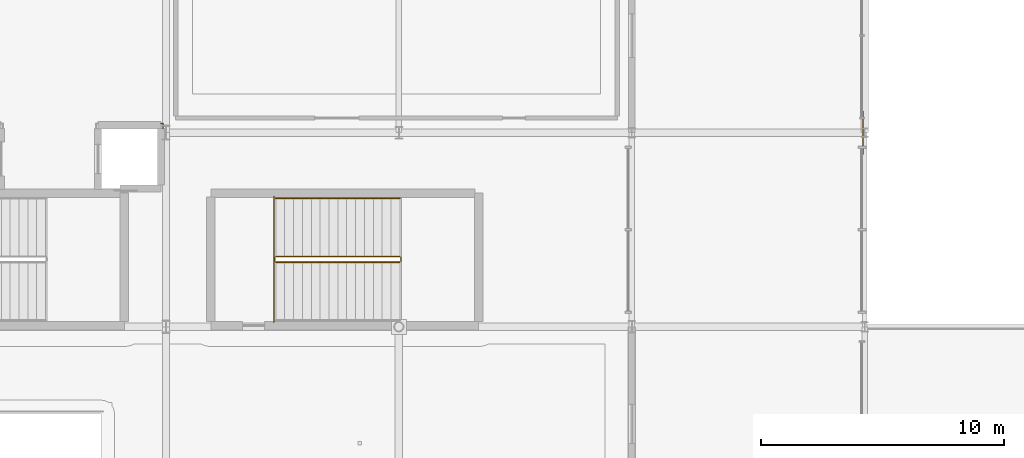
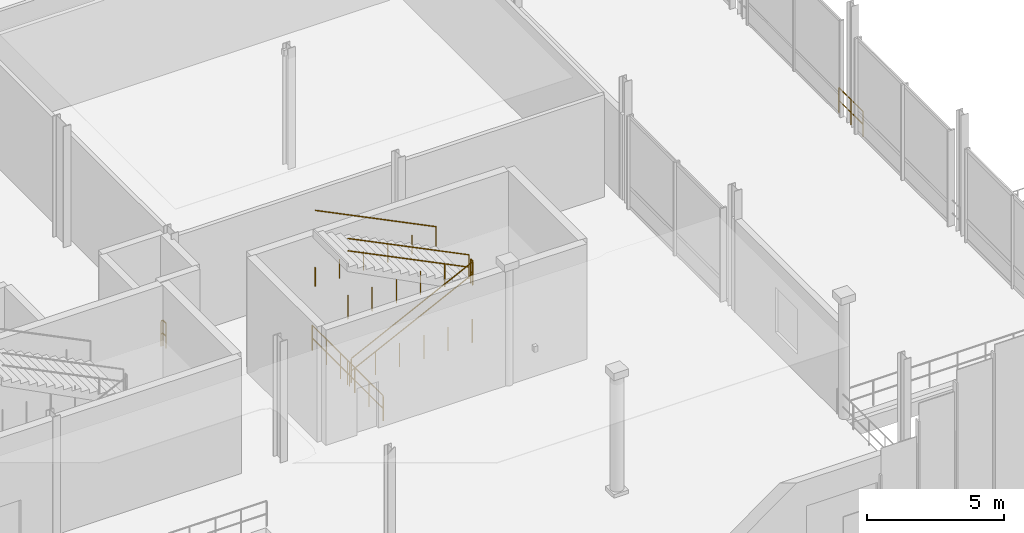
# One storey, part 112 of 129: 8 railings.
"""IFC4 building model written with IfcOpenShell, lengths in metres."""

from ifc_helpers import new_model, si_unit, direction, frame, origin, origin_2d, place, context, subcontext, project, spatial, circle, extrude, material, type_object, element, save


model = new_model("IFC4")

# Units and contexts
model_context = context("Model", 3, precision=1e-05, world=origin(), true_north=direction((0.0, 1.0)))
body_context = subcontext(model_context, "Body", "Model", "MODEL_VIEW")
ifc_project = project(units=[si_unit("LENGTHUNIT", "METRE"), si_unit("AREAUNIT", "SQUARE_METRE"), si_unit("VOLUMEUNIT", "CUBIC_METRE"), si_unit("PLANEANGLEUNIT", "RADIAN"), si_unit("MASSUNIT", "GRAM", prefix="KILO")], contexts=[model_context])

# Site, building, storey
site_placement = place(None, origin())
site = spatial("IfcSite", under=ifc_project, at=site_placement, CompositionType="ELEMENT")
building_placement = place(site_placement, origin())
building = spatial("IfcBuilding", under=site, at=building_placement, Name="Danafjord Basin Convention Centre", CompositionType="ELEMENT")
storey_placement = place(building_placement, frame((0.0, 0.0, 6.0)))
storey = spatial("IfcBuildingStorey", under=building, at=storey_placement, Name="L01", CompositionType="ELEMENT", Elevation=6.0)

# Railings
ifc_material_1 = material(Name="Laminated structural glass and stainless steel", Category="steel")
railing_type_1 = type_object("IfcRailingType", Name="RL-BAL-GLS", PredefinedType="BALUSTRADE", material=ifc_material_1)
railing_1_placement = place(storey_placement, frame((124.719970703125, 24.8798828125, 0.0)))
element("IfcRailing", 1, at=railing_1_placement, inside=storey, type_object=railing_type_1, Name="L01 safety guard balustrade 41", PredefinedType="BALUSTRADE", context=body_context, shape_type="SweptSolid", body=[
    extrude(circle(Radius=0.02392578125, at=origin_2d()), frame((0.0, 0.0, 1.1259765625), z_axis=(0.0, -1.0, 0.0), x_axis=(1.0, 0.0, 0.0)), (0.0, 0.0, 1.0), 1.759765625),
    extrude(circle(Radius=0.02392578125, at=origin_2d()), frame((0.0, 0.0, 0.55078125), z_axis=(0.0, -1.0, 0.0), x_axis=(1.0, 0.0, 0.0)), (0.0, 0.0, 1.0), 1.759765625),
    extrude(circle(Radius=0.02099609375, at=origin_2d()), origin(), (0.0, 0.0, 1.0), 1.099853515625),
    extrude(circle(Radius=0.02099609375, at=origin_2d()), frame((0.0, -0.8798828125, 0.0)), (0.0, 0.0, 1.0), 1.099853515625),
    extrude(circle(Radius=0.02099609375, at=origin_2d()), frame((0.0, -1.759765625, 0.0)), (0.0, 0.0, 1.0), 1.099853515625),
])
ifc_material_2 = material(Name="Galvanised and powder-coated steel S355", Category="steel")
railing_type_2 = type_object("IfcRailingType", Name="RL-BAL-STL", PredefinedType="BALUSTRADE", material=ifc_material_2)
railing_2_placement = place(storey_placement, frame((100.449951171875, 21.375, 0.0)))
element("IfcRailing", 2, at=railing_2_placement, inside=storey, type_object=railing_type_2, Name="L01 safety guard balustrade 83", PredefinedType="BALUSTRADE", context=body_context, shape_type="SweptSolid", body=[
    extrude(circle(Radius=0.02392578125, at=origin_2d()), frame((0.0, 0.0, 1.1259765625), z_axis=(0.0, -1.0, 0.0), x_axis=(1.0, 0.0, 0.0)), (0.0, 0.0, 1.0), 5.18994140625),
    extrude(circle(Radius=0.02392578125, at=origin_2d()), frame((0.0, 0.0, 0.55078125), z_axis=(0.0, -1.0, 0.0), x_axis=(1.0, 0.0, 0.0)), (0.0, 0.0, 1.0), 5.18994140625),
    extrude(circle(Radius=0.02099609375, at=origin_2d()), origin(), (0.0, 0.0, 1.0), 1.099853515625),
    extrude(circle(Radius=0.02099609375, at=origin_2d()), frame((0.0, -1.0380859375, 0.0)), (0.0, 0.0, 1.0), 1.099853515625),
    extrude(circle(Radius=0.02099609375, at=origin_2d()), frame((0.0, -2.075927734375, 0.0)), (0.0, 0.0, 1.0), 1.099853515625),
    extrude(circle(Radius=0.02099609375, at=origin_2d()), frame((0.0, -3.114013671875, 0.0)), (0.0, 0.0, 1.0), 1.099853515625),
    extrude(circle(Radius=0.02099609375, at=origin_2d()), frame((0.0, -4.15185546875, 0.0)), (0.0, 0.0, 1.0), 1.099853515625),
    extrude(circle(Radius=0.02099609375, at=origin_2d()), frame((0.0, -5.18994140625, 0.0)), (0.0, 0.0, 1.0), 1.099853515625),
])
railing_3_placement = place(storey_placement, frame((95.8798828125, 24.1650390625, 0.0)))
element("IfcRailing", 3, at=railing_3_placement, inside=storey, type_object=railing_type_2, Name="L01 safety guard balustrade 105", PredefinedType="BALUSTRADE", context=body_context, shape_type="SweptSolid", body=[
    extrude(circle(Radius=0.02392578125, at=origin_2d()), frame((0.0, 0.0, 1.1259765625), z_axis=(0.0, 1.0, 0.0), x_axis=(-1.0, 0.0, 0.0)), (0.0, 0.0, 1.0), 0.21484375),
    extrude(circle(Radius=0.02392578125, at=origin_2d()), frame((0.0, 0.0, 0.55078125), z_axis=(0.0, 1.0, 0.0), x_axis=(-1.0, 0.0, 0.0)), (0.0, 0.0, 1.0), 0.21484375),
    extrude(circle(Radius=0.02392578125, at=origin_2d()), frame((0.0, 0.21484375, 1.1259765625), z_axis=(-1.0, 0.0, 0.0), x_axis=(0.0, -1.0, 0.0)), (0.0, 0.0, 1.0), 0.079833984375),
    extrude(circle(Radius=0.02392578125, at=origin_2d()), frame((0.0, 0.21484375, 0.55078125), z_axis=(-1.0, 0.0, 0.0), x_axis=(0.0, -1.0, 0.0)), (0.0, 0.0, 1.0), 0.079833984375),
    extrude(circle(Radius=0.02099609375, at=origin_2d()), origin(), (0.0, 0.0, 1.0), 1.099853515625),
    extrude(circle(Radius=0.02099609375, at=origin_2d()), frame((0.0, 0.21484375, 0.0)), (0.0, 0.0, 1.0), 1.099853515625),
    extrude(circle(Radius=0.02099609375, at=origin_2d()), frame((-0.079833984375, 0.21484375, 0.0)), (0.0, 0.0, 1.0), 1.099853515625),
])
ifc_material_3 = material(Name="Galvanised steel S355", Category="steel")
railing_type_3 = type_object("IfcRailingType", Name="RL-GD-WELL", PredefinedType="BALUSTRADE", material=ifc_material_3)
railing_4_placement = place(storey_placement, frame((100.530029296875, 18.659912109375, 0.179931640625)))
element("IfcRailing", 4, at=railing_4_placement, inside=storey, type_object=railing_type_3, Name="L01 ST-04 stair guard 1", PredefinedType="BALUSTRADE", context=body_context, shape_type="SweptSolid", body=[
    extrude(circle(Radius=0.02392578125, at=origin_2d()), frame((0.0, 0.0, 1.076171875), z_axis=(0.89686481642, 0.0, 0.442304760396), x_axis=(0.0, 1.0, 0.0)), (0.0, 0.0, 1.0), 5.697509765625),
    extrude(circle(Radius=0.02392578125, at=origin_2d()), frame((0.0, 0.0, 0.52587890625), z_axis=(0.89686481642, 0.0, 0.442304760396), x_axis=(0.0, 1.0, 0.0)), (0.0, 0.0, 1.0), 5.697509765625),
    extrude(circle(Radius=0.02099609375, at=origin_2d()), origin(), (0.0, 0.0, 1.0), 1.050048828125),
    extrude(circle(Radius=0.02099609375, at=origin_2d()), frame((1.02197265625, 0.0, 0.0)), (0.0, 0.0, 1.0), 1.050048828125),
    extrude(circle(Radius=0.02099609375, at=origin_2d()), frame((2.0439453125, 0.0, 0.0)), (0.0, 0.0, 1.0), 1.050048828125),
    extrude(circle(Radius=0.02099609375, at=origin_2d()), frame((3.06591796875, 0.0, 0.0)), (0.0, 0.0, 1.0), 1.050048828125),
    extrude(circle(Radius=0.02099609375, at=origin_2d()), frame((4.087890625, 0.0, 0.0)), (0.0, 0.0, 1.0), 1.050048828125),
    extrude(circle(Radius=0.02099609375, at=origin_2d()), frame((5.10986328125, 0.0, 0.0)), (0.0, 0.0, 1.0), 1.050048828125),
])
railing_5_placement = place(storey_placement, frame((105.68994140625, 18.7099609375, 2.699951171875)))
element("IfcRailing", 5, at=railing_5_placement, inside=storey, type_object=railing_type_3, Name="L01 ST-04 stair guard 2", PredefinedType="BALUSTRADE", context=body_context, shape_type="SweptSolid", body=[
    extrude(circle(Radius=0.02392578125, at=origin_2d()), frame((0.0, 0.0, 1.076171875), z_axis=(0.0, 1.0, 0.0), x_axis=(-1.0, 0.0, 0.0)), (0.0, 0.0, 1.0), 0.14013671875),
    extrude(circle(Radius=0.02392578125, at=origin_2d()), frame((0.0, 0.0, 0.52587890625), z_axis=(0.0, 1.0, 0.0), x_axis=(-1.0, 0.0, 0.0)), (0.0, 0.0, 1.0), 0.14013671875),
    extrude(circle(Radius=0.02099609375, at=origin_2d()), origin(), (0.0, 0.0, 1.0), 1.050048828125),
    extrude(circle(Radius=0.02099609375, at=origin_2d()), frame((0.0, 0.14013671875, 0.0)), (0.0, 0.0, 1.0), 1.050048828125),
])
railing_6_placement = place(storey_placement, frame((105.639892578125, 18.89990234375, 2.8798828125)))
element("IfcRailing", 6, at=railing_6_placement, inside=storey, type_object=railing_type_3, Name="L01 ST-04 stair guard 3", PredefinedType="BALUSTRADE", context=body_context, shape_type="SweptSolid", body=[
    extrude(circle(Radius=0.02392578125, at=origin_2d()), frame((0.0, 0.0, 1.076171875), z_axis=(-0.89686481642, 0.0, 0.442304760396), x_axis=(0.0, -1.0, 0.0)), (0.0, 0.0, 1.0), 5.697509765625),
    extrude(circle(Radius=0.02392578125, at=origin_2d()), frame((0.0, 0.0, 0.52587890625), z_axis=(-0.89686481642, 0.0, 0.442304760396), x_axis=(0.0, -1.0, 0.0)), (0.0, 0.0, 1.0), 5.697509765625),
    extrude(circle(Radius=0.02099609375, at=origin_2d()), origin(), (0.0, 0.0, 1.0), 1.050048828125),
    extrude(circle(Radius=0.02099609375, at=origin_2d()), frame((-1.02197265625, 0.0, 0.0)), (0.0, 0.0, 1.0), 1.050048828125),
    extrude(circle(Radius=0.02099609375, at=origin_2d()), frame((-2.0439453125, 0.0, 0.0)), (0.0, 0.0, 1.0), 1.050048828125),
    extrude(circle(Radius=0.02099609375, at=origin_2d()), frame((-3.06591796875, 0.0, 0.0)), (0.0, 0.0, 1.0), 1.050048828125),
    extrude(circle(Radius=0.02099609375, at=origin_2d()), frame((-4.087890625, 0.0, 0.0)), (0.0, 0.0, 1.0), 1.050048828125),
    extrude(circle(Radius=0.02099609375, at=origin_2d()), frame((-5.10986328125, 0.0, 0.0)), (0.0, 0.0, 1.0), 1.050048828125),
])
railing_7_placement = place(storey_placement, frame((100.47998046875, 18.7099609375, 0.0)))
element("IfcRailing", 7, at=railing_7_placement, inside=storey, type_object=railing_type_3, Name="L01 ST-04 stair guard 4", PredefinedType="BALUSTRADE", context=body_context, shape_type="SweptSolid", body=[
    extrude(circle(Radius=0.02392578125, at=origin_2d()), frame((0.0, 0.0, 1.076171875), z_axis=(0.0, 1.0, 0.0), x_axis=(-1.0, 0.0, 0.0)), (0.0, 0.0, 1.0), 0.14013671875),
    extrude(circle(Radius=0.02392578125, at=origin_2d()), frame((0.0, 0.0, 0.52587890625), z_axis=(0.0, 1.0, 0.0), x_axis=(-1.0, 0.0, 0.0)), (0.0, 0.0, 1.0), 0.14013671875),
    extrude(circle(Radius=0.02099609375, at=origin_2d()), origin(), (0.0, 0.0, 1.0), 1.050048828125),
    extrude(circle(Radius=0.02099609375, at=origin_2d()), frame((0.0, 0.14013671875, 0.0)), (0.0, 0.0, 1.0), 1.050048828125),
])
ifc_material_4 = material(Name="Brushed stainless steel EN 1.4404", Category="steel")
railing_type_4 = type_object("IfcRailingType", Name="RL-HR-STAIR", PredefinedType="HANDRAIL", material=ifc_material_4)
railing_8_placement = place(storey_placement, frame((105.639892578125, 21.300048828125, 2.8798828125)))
element("IfcRailing", 8, at=railing_8_placement, inside=storey, type_object=railing_type_4, Name="L01 ST-04 stair handrail 2", PredefinedType="HANDRAIL", context=body_context, shape_type="SweptSolid", body=[
    extrude(circle(Radius=0.02392578125, at=origin_2d()), frame((0.0, 0.0, 0.8759765625), z_axis=(-0.89686481642, 0.0, 0.442304760396), x_axis=(0.0, -1.0, 0.0)), (0.0, 0.0, 1.0), 5.697509765625),
    extrude(circle(Radius=0.02099609375, at=origin_2d()), origin(), (0.0, 0.0, 1.0), 0.849853515625),
    extrude(circle(Radius=0.02099609375, at=origin_2d()), frame((-1.02197265625, 0.0, 0.0)), (0.0, 0.0, 1.0), 0.849853515625),
    extrude(circle(Radius=0.02099609375, at=origin_2d()), frame((-2.0439453125, 0.0, 0.0)), (0.0, 0.0, 1.0), 0.849853515625),
    extrude(circle(Radius=0.02099609375, at=origin_2d()), frame((-3.06591796875, 0.0, 0.0)), (0.0, 0.0, 1.0), 0.849853515625),
    extrude(circle(Radius=0.02099609375, at=origin_2d()), frame((-4.087890625, 0.0, 0.0)), (0.0, 0.0, 1.0), 0.849853515625),
    extrude(circle(Radius=0.02099609375, at=origin_2d()), frame((-5.10986328125, 0.0, 0.0)), (0.0, 0.0, 1.0), 0.849853515625),
])

save(model, "model.ifc")
